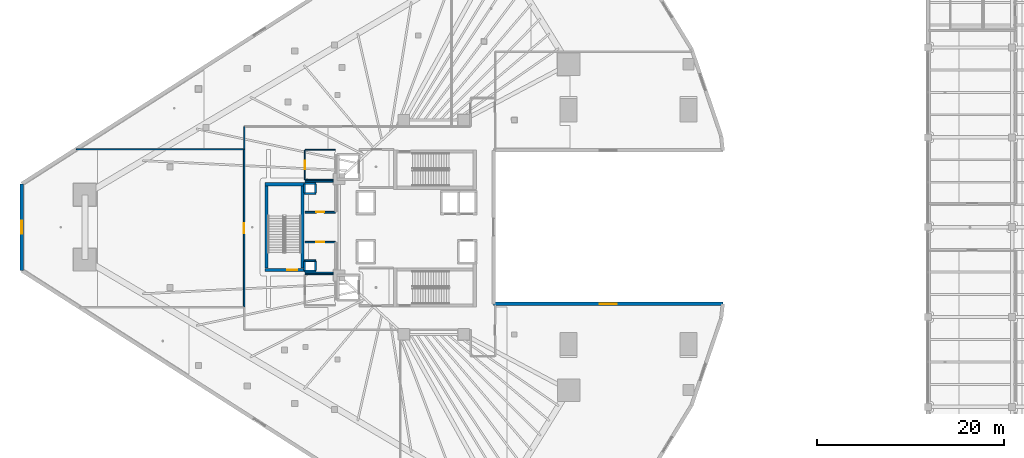
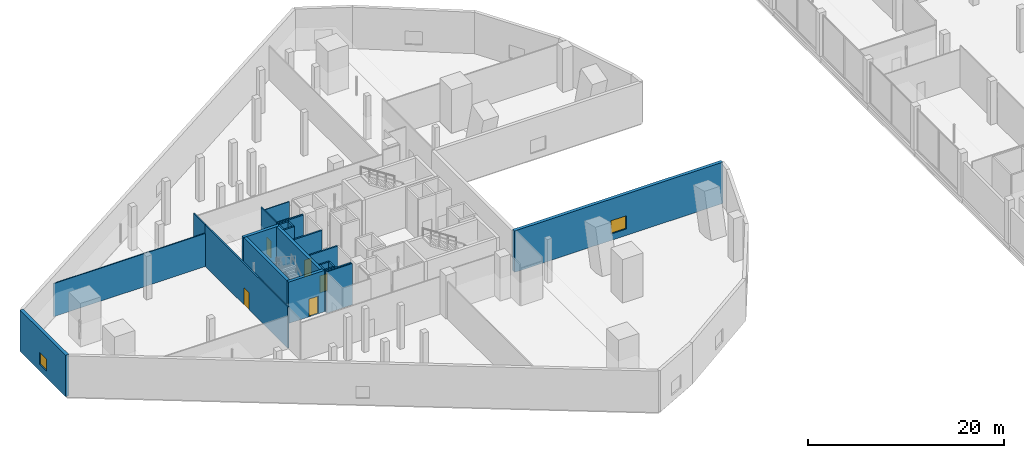
# One storey, part 27 of 47: 25 walls, 5 doors, 2 windows, 7 openings.
"""IFC4 building model written with IfcOpenShell, lengths in metres."""

from ifc_helpers import new_model, si_unit, direction, frame, frame_2d, origin, place, context, subcontext, project, spatial, rectangle, extrude, material, layer, layer_set, type_object, element, fill, save


model = new_model("IFC4")

# Units and contexts
model_context = context("Model", 3, precision=1e-05, world=origin(), true_north=direction((0.0, 1.0)))
body_context = subcontext(model_context, "Body", "Model", "MODEL_VIEW")
ifc_project = project(units=[si_unit("LENGTHUNIT", "METRE"), si_unit("AREAUNIT", "SQUARE_METRE"), si_unit("VOLUMEUNIT", "CUBIC_METRE"), si_unit("PLANEANGLEUNIT", "RADIAN"), si_unit("MASSUNIT", "GRAM", prefix="KILO")], contexts=[model_context])

# Site, building, storey
site_placement = place(None, origin())
site = spatial("IfcSite", under=ifc_project, at=site_placement, CompositionType="ELEMENT")
building_placement = place(site_placement, origin())
building = spatial("IfcBuilding", under=site, at=building_placement, Name="Qorvath Tower", CompositionType="ELEMENT")
storey_placement = place(building_placement, frame((0.0, 0.0, 6.60009765625)))
storey = spatial("IfcBuildingStorey", under=building, at=storey_placement, Name="L01", CompositionType="ELEMENT", Elevation=6.60009765625)

# Walls
ifc_material_1 = material(Name="Gypsum shaftliner on steel studs", Category="steel")
ifc_layer_1 = layer(ifc_material_1, 0.179931640625)
ifc_layer_set_1 = layer_set([ifc_layer_1], Name="FW-LOBBY")
wall_type_1 = type_object("IfcWallType", Name="FW-LOBBY", PredefinedType="PARTITIONING", material=ifc_layer_set_1)
for number, where, z_axis, x_axis, name in (
    (1, (-32.989990234375, 3.594970703125, 0.0), (0.0, 0.0, 1.0), (-1.0, 0.0, 0.0), "MEP Riser Shaft Enclosure Wall N-L01-S"),
    (2, (-34.260009765625, 4.675048828125, 0.0), (0.0, 0.0, 1.0), (1.0, 0.0, 0.0), "MEP Riser Shaft Enclosure Wall N-L01-N"),
):
    element("IfcWall", number, at=place(storey_placement, frame(where, z_axis=z_axis, x_axis=x_axis)), inside=storey, type_object=wall_type_1, Name=name, PredefinedType="PARTITIONING", context=body_context, shape_type="SweptSolid", body=[
        extrude(rectangle(XDim=1.27001953125, YDim=0.179931640625, at=frame_2d((0.635009765625, 0.0))), origin(), (0.0, 0.0, 1.0), 5.139892578125),
    ])
for number, where, z_axis, x_axis, name in (
    (3, (-34.205078125, 3.659912109375, 0.0), (0.0, 0.0, 1.0), (0.0, 1.0, 0.0), "MEP Riser Shaft Enclosure Wall N-L01-W"),
    (4, (-33.044921875, 4.610107421875, 0.0), (0.0, 0.0, 1.0), (0.0, -1.0, 0.0), "MEP Riser Shaft Enclosure Wall N-L01-E"),
):
    element("IfcWall", number, at=place(storey_placement, frame(where, z_axis=z_axis, x_axis=x_axis)), inside=storey, type_object=wall_type_1, Name=name, PredefinedType="PARTITIONING", context=body_context, shape_type="SweptSolid", body=[
        extrude(rectangle(XDim=0.9501953125, YDim=0.179931640625, at=frame_2d((0.47509765625, 0.0))), origin(), (0.0, 0.0, 1.0), 5.139892578125),
    ])
for number, where, z_axis, x_axis, name in (
    (5, (-32.989990234375, -4.675048828125, 0.0), (0.0, 0.0, 1.0), (-1.0, 0.0, 0.0), "MEP Riser Shaft Enclosure Wall S-L01-S"),
    (6, (-34.260009765625, -3.594970703125, 0.0), (0.0, 0.0, 1.0), (1.0, 0.0, 0.0), "MEP Riser Shaft Enclosure Wall S-L01-N"),
):
    element("IfcWall", number, at=place(storey_placement, frame(where, z_axis=z_axis, x_axis=x_axis)), inside=storey, type_object=wall_type_1, Name=name, PredefinedType="PARTITIONING", context=body_context, shape_type="SweptSolid", body=[
        extrude(rectangle(XDim=1.27001953125, YDim=0.179931640625, at=frame_2d((0.635009765625, 0.0))), origin(), (0.0, 0.0, 1.0), 5.139892578125),
    ])
for number, where, z_axis, x_axis, name in (
    (7, (-34.205078125, -4.610107421875, 0.0), (0.0, 0.0, 1.0), (0.0, 1.0, 0.0), "MEP Riser Shaft Enclosure Wall S-L01-W"),
    (8, (-33.044921875, -3.659912109375, 0.0), (0.0, 0.0, 1.0), (0.0, -1.0, 0.0), "MEP Riser Shaft Enclosure Wall S-L01-E"),
):
    element("IfcWall", number, at=place(storey_placement, frame(where, z_axis=z_axis, x_axis=x_axis)), inside=storey, type_object=wall_type_1, Name=name, PredefinedType="PARTITIONING", context=body_context, shape_type="SweptSolid", body=[
        extrude(rectangle(XDim=0.9501953125, YDim=0.179931640625, at=frame_2d((0.47509765625, 0.0))), origin(), (0.0, 0.0, 1.0), 5.139892578125),
    ])

# Wall, opening, door
wall_1_placement = place(storey_placement, frame((-34.15478515625, 1.60009765625, 0.0), z_axis=(0.0, 0.0, 1.0), x_axis=(1.0, 0.0, 0.0)))
wall_1 = element("IfcWall", 9, at=wall_1_placement, inside=storey, type_object=wall_type_1, Name="Interior Partition IW-T1-L01-013", PredefinedType="PARTITIONING", context=body_context, shape_type="SweptSolid", body=[
    extrude(rectangle(XDim=3.25, YDim=0.179931640625, at=frame_2d((1.625, 0.0))), origin(), (0.0, 0.0, 1.0), 5.139892578125),
])
opening_1_placement = place(wall_1_placement, frame((1.18505859375, 0.0, 0.0)))
opening_1 = element("IfcOpeningElement", 10, at=opening_1_placement, cuts=wall_1, Name="Opening D-T1-L01-03", PredefinedType="OPENING", context=body_context, shape_type="SweptSolid", body=[
    extrude(rectangle(XDim=0.8798828125, YDim=2.10009765625, at=frame_2d((0.43994140625, 1.050048828125))), frame((0.0, 0.10009765625, 0.0), z_axis=(0.0, -1.0, 0.0), x_axis=(1.0, 0.0, 0.0)), (0.0, 0.0, 1.0), 0.199951171875),
])
ifc_material_2 = material(Name="Painted galvanised hollow metal", Category="steel")
door_type_1 = type_object("IfcDoorType", Name="FD-60N", OperationType="NOTDEFINED", PredefinedType="DOOR", material=ifc_material_2)
door_1_placement = place(opening_1_placement, origin())
door_1 = element("IfcDoor", 11, at=door_1_placement, inside=storey, type_object=door_type_1, Name="Core cleaner and custodial room L01 Door D-T1-L01-03", OperationType="SINGLE_SWING_RIGHT", OverallHeight=2.10009765625, OverallWidth=0.8798828125, PredefinedType="DOOR", context=body_context, shape_type="SweptSolid", body=[
    extrude(rectangle(XDim=0.8798828125, YDim=2.10009765625, at=frame_2d((0.43994140625, 1.050048828125))), frame((0.0, 0.02490234375, 0.0), z_axis=(0.0, -1.0, 0.0), x_axis=(1.0, 0.0, 0.0)), (0.0, 0.0, 1.0), 0.050048828125),
])
fill(opening_1, door_1)

# Walls
for number, where, z_axis, x_axis, name in (
    (12, (-31.1650390625, 4.89990234375, 0.0), (0.0, 0.0, 1.0), (-1.0, 0.0, 0.0), "Interior Partition IW-T1-L01-015"),
    (13, (-34.15478515625, -4.89990234375, 0.0), (0.0, 0.0, 1.0), (1.0, 0.0, 0.0), "Interior Partition IW-T1-L01-016"),
):
    element("IfcWall", number, at=place(storey_placement, frame(where, z_axis=z_axis, x_axis=x_axis)), inside=storey, type_object=wall_type_1, Name=name, PredefinedType="PARTITIONING", context=body_context, shape_type="SweptSolid", body=[
        extrude(rectangle(XDim=2.98974609375, YDim=0.179931640625, at=frame_2d((1.494873046875, 0.0))), origin(), (0.0, 0.0, 1.0), 5.139892578125),
    ])

# Wall, opening, door
wall_2_placement = place(storey_placement, frame((-30.90478515625, -1.60009765625, 0.0), z_axis=(0.0, 0.0, 1.0), x_axis=(-1.0, 0.0, 0.0)))
wall_2 = element("IfcWall", 14, at=wall_2_placement, inside=storey, type_object=wall_type_1, Name="Interior Partition IW-T1-L01-018", PredefinedType="PARTITIONING", context=body_context, shape_type="SweptSolid", body=[
    extrude(rectangle(XDim=3.25, YDim=0.179931640625, at=frame_2d((1.625, 0.0))), origin(), (0.0, 0.0, 1.0), 5.139892578125),
])
opening_2_placement = place(wall_2_placement, frame((1.18505859375, 0.0, 0.0)))
opening_2 = element("IfcOpeningElement", 15, at=opening_2_placement, cuts=wall_2, Name="Opening D-T1-L01-04", PredefinedType="OPENING", context=body_context, shape_type="SweptSolid", body=[
    extrude(rectangle(XDim=0.8798828125, YDim=2.10009765625, at=frame_2d((0.43994140625, 1.050048828125))), frame((0.0, 0.10009765625, 0.0), z_axis=(0.0, -1.0, 0.0), x_axis=(1.0, 0.0, 0.0)), (0.0, 0.0, 1.0), 0.199951171875),
])
door_2_placement = place(opening_2_placement, origin())
door_2 = element("IfcDoor", 16, at=door_2_placement, inside=storey, type_object=door_type_1, Name="Core electrical room L01 Door D-T1-L01-04", OperationType="SINGLE_SWING_LEFT", OverallHeight=2.10009765625, OverallWidth=0.8798828125, PredefinedType="DOOR", context=body_context, shape_type="SweptSolid", body=[
    extrude(rectangle(XDim=0.8798828125, YDim=2.10009765625, at=frame_2d((0.43994140625, 1.050048828125))), frame((0.0, 0.02490234375, 0.0), z_axis=(0.0, -1.0, 0.0), x_axis=(1.0, 0.0, 0.0)), (0.0, 0.0, 1.0), 0.050048828125),
])
fill(opening_2, door_2)

ifc_material_3 = material(Name="Double acoustic gypsum board on steel studs", Category="steel")
ifc_layer_2 = layer(ifc_material_3, 0.159912109375)
ifc_layer_set_2 = layer_set([ifc_layer_2], Name="IW-ACOUSTIC-160")
wall_type_2 = type_object("IfcWallType", Name="IW-ACOUSTIC-160", PredefinedType="PARTITIONING", material=ifc_layer_set_2)
wall_3_placement = place(storey_placement, frame((-40.657958984375, -8.51708984375, 0.0), z_axis=(0.0, 0.0, 1.0), x_axis=(0.0, 1.0, 0.0)))
wall_3 = element("IfcWall", 17, at=wall_3_placement, inside=storey, type_object=wall_type_2, Name="Interior Partition IW-T1-L01-036", PredefinedType="PARTITIONING", context=body_context, shape_type="SweptSolid", body=[
    extrude(rectangle(XDim=16.80419921875, YDim=0.159912109375, at=frame_2d((8.402099609375, 0.0))), origin(), (0.0, 0.0, 1.0), 5.139892578125),
])
opening_3_placement = place(wall_3_placement, frame((7.85205078125, 0.0, 0.0)))
opening_3 = element("IfcOpeningElement", 18, at=opening_3_placement, cuts=wall_3, Name="Opening D-T1-L01-10", PredefinedType="OPENING", context=body_context, shape_type="SweptSolid", body=[
    extrude(rectangle(XDim=1.10009765625, YDim=2.14990234375, at=frame_2d((0.550048828125, 1.074951171875))), frame((0.0, 0.08984375, 0.0), z_axis=(0.0, -1.0, 0.0), x_axis=(1.0, 0.0, 0.0)), (0.0, 0.0, 1.0), 0.179931640625),
])
ifc_material_4 = material(Name="Anodised aluminium acoustic framed glass", Category="aluminium")
door_type_2 = type_object("IfcDoorType", Name="D-03", OperationType="NOTDEFINED", PredefinedType="DOOR", material=ifc_material_4)
door_3_placement = place(opening_3_placement, origin())
door_3 = element("IfcDoor", 19, at=door_3_placement, inside=storey, type_object=door_type_2, Name="L01-06 Client Services Office Door D-T1-L01-10", OperationType="SINGLE_SWING_LEFT", OverallHeight=2.14990234375, OverallWidth=1.10009765625, PredefinedType="DOOR", context=body_context, shape_type="SweptSolid", body=[
    extrude(rectangle(XDim=1.10009765625, YDim=2.14990234375, at=frame_2d((0.550048828125, 1.074951171875))), frame((0.0, 0.02490234375, 0.0), z_axis=(0.0, -1.0, 0.0), x_axis=(1.0, 0.0, 0.0)), (0.0, 0.0, 1.0), 0.050048828125),
])
fill(opening_3, door_3)

# Walls
ifc_material_5 = material(Name="Gypsum board on metal studs with mineral wool", Category="gypsum")
ifc_layer_3 = layer(ifc_material_5, 0.125)
ifc_layer_set_3 = layer_set([ifc_layer_3], Name="IW-PART-125")
wall_type_3 = type_object("IfcWallType", Name="IW-PART-125", PredefinedType="PARTITIONING", material=ifc_layer_set_3)
wall_4_placement = place(storey_placement, frame((-40.657958984375, 10.733154296875, 0.0), z_axis=(0.0, 0.0, 1.0), x_axis=(0.0, -1.0, 0.0)))
element("IfcWall", 20, at=wall_4_placement, inside=storey, type_object=wall_type_3, Name="Interior Partition IW-T1-L01-025", PredefinedType="PARTITIONING", context=body_context, shape_type="SweptSolid", body=[
    extrude(rectangle(XDim=2.387939453125, YDim=0.125, at=frame_2d((1.19384765625, 0.0))), origin(), (0.0, 0.0, 1.0), 5.139892578125),
])
wall_5_placement = place(storey_placement, frame((-58.576171875, 8.320068359375, 0.0), z_axis=(0.0, 0.0, 1.0), x_axis=(1.0, 0.0, 0.0)))
element("IfcWall", 21, at=wall_5_placement, inside=storey, type_object=wall_type_3, Name="Interior Partition IW-T1-L01-027", PredefinedType="PARTITIONING", context=body_context, shape_type="SweptSolid", body=[
    extrude(rectangle(XDim=17.89306640625, YDim=0.125, at=frame_2d((8.946533203125, 0.0))), origin(), (0.0, 0.0, 1.0), 4.10986328125),
])

# Wall, opening, door
ifc_material_6 = material(Name="Moisture-resistant cement board on metal studs", Category="gypsum")
ifc_layer_4 = layer(ifc_material_6, 0.110107421875)
ifc_layer_set_4 = layer_set([ifc_layer_4], Name="IW-WC-110")
wall_type_4 = type_object("IfcWallType", Name="IW-WC-110", PredefinedType="PARTITIONING", material=ifc_layer_set_4)
wall_6_placement = place(storey_placement, frame((-34.179931640625, 8.22509765625, 0.0), z_axis=(0.0, 0.0, 1.0), x_axis=(0.0, -1.0, 0.0)))
wall_6 = element("IfcWall", 22, at=wall_6_placement, inside=storey, type_object=wall_type_4, Name="Interior Partition IW-T1-L01-005", PredefinedType="PARTITIONING", context=body_context, shape_type="SweptSolid", body=[
    extrude(rectangle(XDim=3.150146484375, YDim=0.110107421875, at=frame_2d((1.5751953125, 0.0))), origin(), (0.0, 0.0, 1.0), 5.139892578125),
])
opening_4_placement = place(wall_6_placement, frame((1.135009765625, 0.0, 0.0)))
opening_4 = element("IfcOpeningElement", 23, at=opening_4_placement, cuts=wall_6, Name="Opening D-T1-L01-01", PredefinedType="OPENING", context=body_context, shape_type="SweptSolid", body=[
    extrude(rectangle(XDim=0.8798828125, YDim=2.10009765625, at=frame_2d((0.43994140625, 1.050048828125))), frame((0.0, 0.06494140625, 0.0), z_axis=(0.0, -1.0, 0.0), x_axis=(1.0, 0.0, 0.0)), (0.0, 0.0, 1.0), 0.130126953125),
])
ifc_material_7 = material(Name="Solid-core oak with acoustic drop seal", Category="wood")
door_type_3 = type_object("IfcDoorType", Name="D-02", OperationType="NOTDEFINED", PredefinedType="DOOR", material=ifc_material_7)
door_4_placement = place(opening_4_placement, origin())
door_4 = element("IfcDoor", 24, at=door_4_placement, inside=storey, type_object=door_type_3, Name="WC All-Gender North L01 Door D-T1-L01-01", OperationType="SINGLE_SWING_RIGHT", OverallHeight=2.10009765625, OverallWidth=0.8798828125, PredefinedType="DOOR", context=body_context, shape_type="SweptSolid", body=[
    extrude(rectangle(XDim=0.8798828125, YDim=2.10009765625, at=frame_2d((0.43994140625, 1.050048828125))), frame((0.0, 0.02490234375, 0.0), z_axis=(0.0, -1.0, 0.0), x_axis=(1.0, 0.0, 0.0)), (0.0, 0.0, 1.0), 0.050048828125),
])
fill(opening_4, door_4)

# Walls
wall_7_placement = place(storey_placement, frame((-34.15478515625, 5.050048828125, 0.0), z_axis=(0.0, 0.0, 1.0), x_axis=(1.0, 0.0, 0.0)))
element("IfcWall", 25, at=wall_7_placement, inside=storey, type_object=wall_type_4, Name="Interior Partition IW-T1-L01-006", PredefinedType="PARTITIONING", context=body_context, shape_type="SweptSolid", body=[
    extrude(rectangle(XDim=2.98974609375, YDim=0.110107421875, at=frame_2d((1.494873046875, 0.0))), origin(), (0.0, 0.0, 1.0), 5.139892578125),
])
wall_8_placement = place(storey_placement, frame((-30.90478515625, 8.25, 0.0), z_axis=(0.0, 0.0, 1.0), x_axis=(-1.0, 0.0, 0.0)))
element("IfcWall", 26, at=wall_8_placement, inside=storey, type_object=wall_type_4, Name="Interior Partition IW-T1-L01-008", PredefinedType="PARTITIONING", context=body_context, shape_type="SweptSolid", body=[
    extrude(rectangle(XDim=3.25, YDim=0.110107421875, at=frame_2d((1.625, 0.0))), origin(), (0.0, 0.0, 1.0), 4.65283203125),
])
wall_9_placement = place(storey_placement, frame((-31.1650390625, -5.050048828125, 0.0), z_axis=(0.0, 0.0, 1.0), x_axis=(-1.0, 0.0, 0.0)))
element("IfcWall", 27, at=wall_9_placement, inside=storey, type_object=wall_type_4, Name="Interior Partition IW-T1-L01-011", PredefinedType="PARTITIONING", context=body_context, shape_type="SweptSolid", body=[
    extrude(rectangle(XDim=2.98974609375, YDim=0.110107421875, at=frame_2d((1.494873046875, 0.0))), origin(), (0.0, 0.0, 1.0), 5.139892578125),
])

# Wall, opening, door
ifc_material_8 = material(Name="Concrete C60/75", Category="concrete")
ifc_layer_5 = layer(ifc_material_8, 0.35009765625)
ifc_layer_set_5 = layer_set([ifc_layer_5], Name="SW-STAIR")
wall_type_5 = type_object("IfcWallType", Name="SW-STAIR", PredefinedType="SHEAR", material=ifc_layer_set_5)
wall_10_placement = place(storey_placement, frame((-38.4599609375, -4.574951171875, 0.0), z_axis=(0.0, 0.0, 1.0), x_axis=(1.0, 0.0, 0.0)))
wall_10 = element("IfcWall", 28, at=wall_10_placement, inside=storey, type_object=wall_type_5, Name="Stair TS3 Shear Wall L01 NEAR", PredefinedType="SHEAR", context=body_context, shape_type="SweptSolid", body=[
    extrude(rectangle(XDim=4.2099609375, YDim=0.35009765625, at=frame_2d((2.10498046875, 0.0))), origin(), (0.0, 0.0, 1.0), 5.139892578125),
])
opening_5_placement = place(wall_10_placement, frame((2.389892578125, 0.0, 0.0)))
opening_5 = element("IfcOpeningElement", 29, at=opening_5_placement, cuts=wall_10, Name="Opening D-TS3-L01", PredefinedType="OPENING", context=body_context, shape_type="SweptSolid", body=[
    extrude(rectangle(XDim=1.10009765625, YDim=2.199951171875, at=frame_2d((0.550048828125, 1.10009765625))), frame((0.0, 0.18505859375, 0.0), z_axis=(0.0, -1.0, 0.0), x_axis=(1.0, 0.0, 0.0)), (0.0, 0.0, 1.0), 0.3701171875),
])
ifc_material_9 = material(Name="Painted galvanised hollow metal", Category="steel")
door_type_4 = type_object("IfcDoorType", Name="FD-90", OperationType="NOTDEFINED", PredefinedType="DOOR", material=ifc_material_9)
door_5_placement = place(opening_5_placement, origin())
door_5 = element("IfcDoor", 30, at=door_5_placement, inside=storey, type_object=door_type_4, Name="Stair TS3 Fire Door L01", OperationType="SINGLE_SWING_RIGHT", OverallHeight=2.199951171875, OverallWidth=1.10009765625, PredefinedType="DOOR", context=body_context, shape_type="SweptSolid", body=[
    extrude(rectangle(XDim=1.10009765625, YDim=2.199951171875, at=frame_2d((0.550048828125, 1.10009765625))), frame((0.0, 0.02490234375, 0.0), z_axis=(0.0, -1.0, 0.0), x_axis=(1.0, 0.0, 0.0)), (0.0, 0.0, 1.0), 0.050048828125),
])
fill(opening_5, door_5)

# Walls
wall_11_placement = place(storey_placement, frame((-34.25, 4.574951171875, 0.0), z_axis=(0.0, 0.0, 1.0), x_axis=(-1.0, 0.0, 0.0)))
element("IfcWall", 31, at=wall_11_placement, inside=storey, type_object=wall_type_5, Name="Stair TS3 Shear Wall L01 FAR", PredefinedType="SHEAR", context=body_context, shape_type="SweptSolid", body=[
    extrude(rectangle(XDim=4.2099609375, YDim=0.35009765625, at=frame_2d((2.10498046875, 0.0))), origin(), (0.0, 0.0, 1.0), 5.139892578125),
])
for number, where, z_axis, x_axis, name in (
    (32, (-34.425048828125, -4.385009765625, 0.0), (0.0, 0.0, 1.0), (0.0, 1.0, 0.0), "Stair TS3 Shear Wall L01 LEFT"),
    (33, (-38.284912109375, 4.385009765625, 0.0), (0.0, 0.0, 1.0), (0.0, -1.0, 0.0), "Stair TS3 Shear Wall L01 RIGHT"),
):
    element("IfcWall", number, at=place(storey_placement, frame(where, z_axis=z_axis, x_axis=x_axis)), inside=storey, type_object=wall_type_5, Name=name, PredefinedType="SHEAR", context=body_context, shape_type="SweptSolid", body=[
        extrude(rectangle(XDim=8.77001953125, YDim=0.35009765625, at=frame_2d((4.385009765625, 0.0))), origin(), (0.0, 0.0, 1.0), 5.139892578125),
    ])

# Wall, opening, window
ifc_material_10 = material(Name="Precast concrete C50/60", Category="concrete")
ifc_layer_6 = layer(ifc_material_10, 0.3798828125)
ifc_layer_set_6 = layer_set([ifc_layer_6], Name="WL-EW-POD-380")
wall_type_6 = type_object("IfcWallType", Name="WL-EW-POD-380", PredefinedType="SOLIDWALL", material=ifc_layer_set_6)
wall_12_placement = place(storey_placement, frame((10.483154296875, -8.199951171875, 0.0), z_axis=(0.0, 0.0, 1.0), x_axis=(-1.0, 0.0, 0.0)))
wall_12 = element("IfcWall", 34, at=wall_12_placement, inside=storey, type_object=wall_type_6, Name="Tower Podium Precast Facade Wall L01-1.1", PredefinedType="SOLIDWALL", context=body_context, shape_type="SweptSolid", body=[
    extrude(rectangle(XDim=24.483154296875, YDim=0.3798828125, at=frame_2d((12.24169921875, 0.0))), origin(), (0.0, 0.0, 1.0), 5.139892578125),
])
opening_6_placement = place(wall_12_placement, frame((11.341552734375, 0.0, 0.800048828125)))
opening_6 = element("IfcOpeningElement", 35, at=opening_6_placement, cuts=wall_12, Name="Opening WN-L01-001", PredefinedType="OPENING", context=body_context, shape_type="SweptSolid", body=[
    extrude(rectangle(XDim=1.800048828125, YDim=1.64990234375, at=frame_2d((0.89990234375, 0.824951171875))), frame((0.0, 0.199951171875, 0.0), z_axis=(0.0, -1.0, 0.0), x_axis=(1.0, 0.0, 0.0)), (0.0, 0.0, 1.0), 0.39990234375),
])
ifc_material_11 = material(Name="Thermally broken aluminium and triple low-E glass", Category="aluminium")
window_type_1 = type_object("IfcWindowType", Name="WN-1", PartitioningType="SINGLE_PANEL", PredefinedType="WINDOW", material=ifc_material_11)
window_1_placement = place(opening_6_placement, origin())
window_1 = element("IfcWindow", 36, at=window_1_placement, inside=storey, type_object=window_type_1, Name="Podium Punched Window L01-001", OverallHeight=1.64990234375, OverallWidth=1.800048828125, PartitioningType="SINGLE_PANEL", PredefinedType="WINDOW", context=body_context, shape_type="SweptSolid", body=[
    extrude(rectangle(XDim=1.800048828125, YDim=1.64990234375, at=frame_2d((0.89990234375, 0.824951171875))), frame((0.0, 0.030029296875, 0.0), z_axis=(0.0, -1.0, 0.0), x_axis=(1.0, 0.0, 0.0)), (0.0, 0.0, 1.0), 0.06005859375),
])
fill(opening_6, window_1)

wall_13_placement = place(storey_placement, frame((-64.419189453125, -4.63671875, 0.0), z_axis=(0.0, 0.0, 1.0), x_axis=(0.0, 1.0, 0.0)))
wall_13 = element("IfcWall", 37, at=wall_13_placement, inside=storey, type_object=wall_type_6, Name="Tower Podium Precast Facade Wall L01-10.1", PredefinedType="SOLIDWALL", context=body_context, shape_type="SweptSolid", body=[
    extrude(rectangle(XDim=9.2734375, YDim=0.3798828125, at=frame_2d((4.63671875, 0.0))), origin(), (0.0, 0.0, 1.0), 5.139892578125),
])
opening_7_placement = place(wall_13_placement, frame((3.936767578125, 0.0, 0.800048828125)))
opening_7 = element("IfcOpeningElement", 38, at=opening_7_placement, cuts=wall_13, Name="Opening WN-L01-009", PredefinedType="OPENING", context=body_context, shape_type="SweptSolid", body=[
    extrude(rectangle(XDim=1.39990234375, YDim=1.5, at=frame_2d((0.699951171875, 0.75))), frame((0.0, 0.199951171875, 0.0), z_axis=(0.0, -1.0, 0.0), x_axis=(1.0, 0.0, 0.0)), (0.0, 0.0, 1.0), 0.39990234375),
])
ifc_material_12 = material(Name="Thermally broken aluminium and triple low-E glass", Category="aluminium")
window_type_2 = type_object("IfcWindowType", Name="WN-3", PartitioningType="SINGLE_PANEL", PredefinedType="WINDOW", material=ifc_material_12)
window_2_placement = place(opening_7_placement, origin())
window_2 = element("IfcWindow", 39, at=window_2_placement, inside=storey, type_object=window_type_2, Name="Podium Punched Window L01-009", OverallHeight=1.5, OverallWidth=1.39990234375, PartitioningType="SINGLE_PANEL", PredefinedType="WINDOW", context=body_context, shape_type="SweptSolid", body=[
    extrude(rectangle(XDim=1.39990234375, YDim=1.5, at=frame_2d((0.699951171875, 0.75))), frame((0.0, 0.030029296875, 0.0), z_axis=(0.0, -1.0, 0.0), x_axis=(1.0, 0.0, 0.0)), (0.0, 0.0, 1.0), 0.06005859375),
])
fill(opening_7, window_2)

save(model, "model.ifc")
